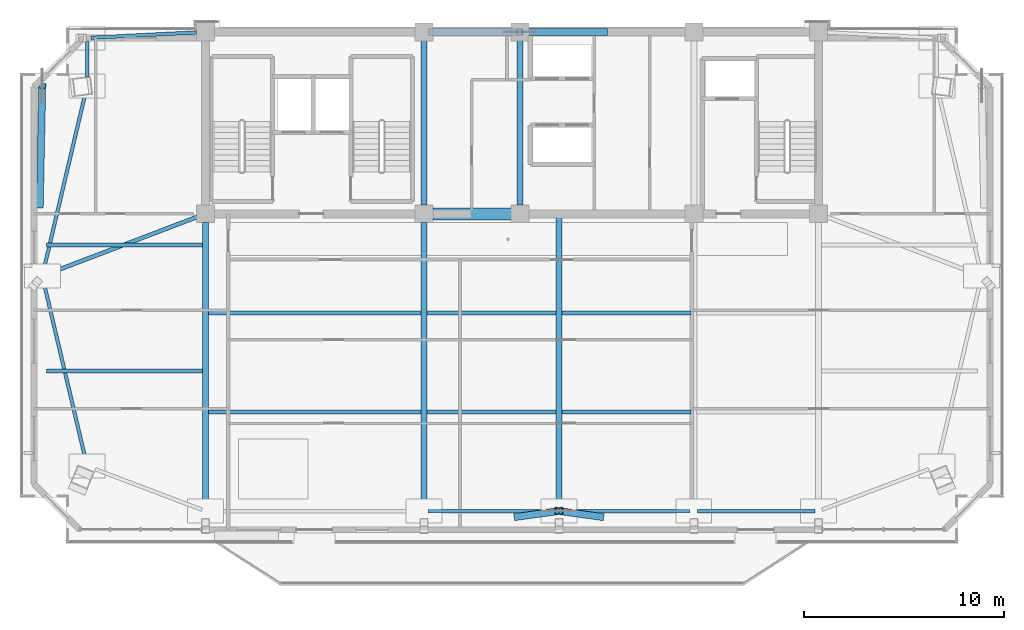
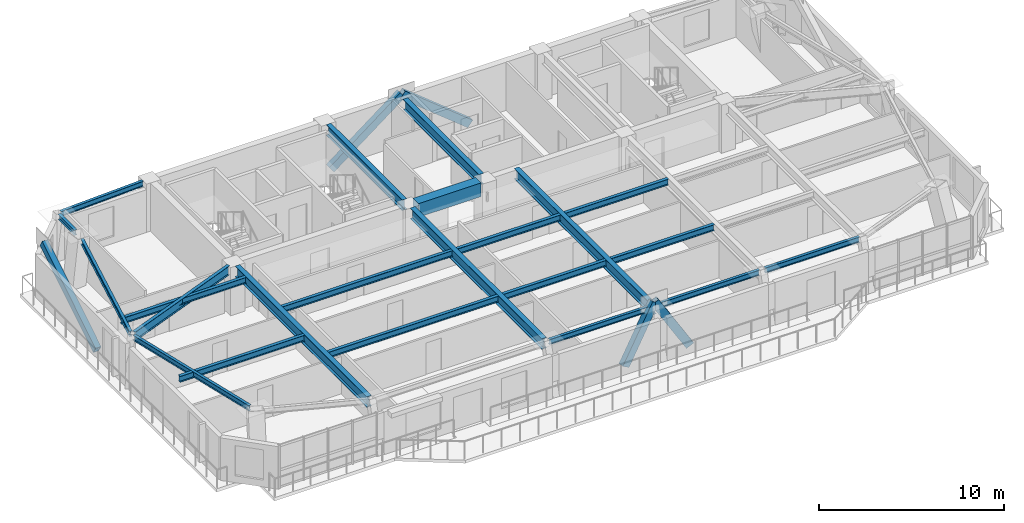
# One storey, part 3 of 13: 22 beams, 5 members.
"""IFC4 building model written with IfcOpenShell, lengths in metres."""

from ifc_helpers import new_model, si_unit, direction, frame, origin, origin_2d, place, context, subcontext, project, spatial, rectangle, hollow_rectangle, i_section, extrude, source, transform, mapped, material, material_profile, profile_set, type_object, element, save


model = new_model("IFC4")

# Units and contexts
model_context = context("Model", 3, precision=1e-05, world=origin(), true_north=direction((0.0, 1.0)))
body_context = subcontext(model_context, "Body", "Model", "MODEL_VIEW")
ifc_project = project(units=[si_unit("LENGTHUNIT", "METRE"), si_unit("AREAUNIT", "SQUARE_METRE"), si_unit("VOLUMEUNIT", "CUBIC_METRE"), si_unit("PLANEANGLEUNIT", "RADIAN"), si_unit("MASSUNIT", "GRAM", prefix="KILO")], contexts=[model_context])

# Site, building, storey
site_placement = place(None, origin())
site = spatial("IfcSite", under=ifc_project, at=site_placement, CompositionType="ELEMENT")
building_placement = place(site_placement, origin())
building = spatial("IfcBuilding", under=site, at=building_placement, Name="Giltprow Tower", CompositionType="ELEMENT")
storey_placement = place(building_placement, frame((0.0, 0.0, 332.300048828125)))
storey = spatial("IfcBuildingStorey", under=building, at=storey_placement, Name="L86", CompositionType="ELEMENT", Elevation=332.300048828125)

# Beams
ifc_material_1 = material(Name="Structural steel Q355B", Category="steel")
ifc_material_profile_1 = material_profile(ifc_material_1, i_section(OverallWidth=0.199951171875, OverallDepth=0.39990234375, WebThickness=0.008056640625, FlangeThickness=0.012939453125, at=origin_2d()), Name="HN 400x200x8x13")
ifc_profile_set_1 = profile_set([ifc_material_profile_1], Name="Structural steel Q355B")
beam_type_1 = type_object("IfcBeamType", Name="BM-JOIST-HN400", PredefinedType="JOIST", material=ifc_profile_set_1)
shared_shape_1 = source(origin(), body_context, "Body", "SweptSolid", [
    extrude(i_section(OverallWidth=0.199951171875, OverallDepth=0.39990234375, WebThickness=0.008056640625, FlangeThickness=0.012939453125, at=origin_2d()), origin(), (0.0, 0.0, 1.0), 10.659912109375),
])
for number, where, z_axis, x_axis, name in (
    (1, (19.9951171875, 27.529052734375, 2.98486328125), (1.0, 0.0, 0.0), (0.0, 1.0, 0.0), "L86 Composite Floor Joist 1-1"),
    (2, (19.9951171875, 32.489013671875, 2.98486328125), (1.0, 0.0, 0.0), (0.0, 1.0, 0.0), "L86 Composite Floor Joist 2-1"),
):
    element("IfcBeam", number, at=place(storey_placement, frame(where, z_axis=z_axis, x_axis=x_axis)), inside=storey, type_object=beam_type_1, Name=name, PredefinedType="JOIST", context=body_context, shape_type="MappedRepresentation", body=[
        mapped(shared_shape_1, transform((0.0, 0.0, 0.0), x_axis=(1.0, 0.0, 0.0), y_axis=(0.0, 1.0, 0.0), z_axis=(0.0, 0.0, 1.0), scale=1.0)),
    ])
shared_shape_2 = source(origin(), body_context, "Body", "SweptSolid", [
    extrude(i_section(OverallWidth=0.199951171875, OverallDepth=0.39990234375, WebThickness=0.008056640625, FlangeThickness=0.012939453125, at=origin_2d()), origin(), (0.0, 0.0, 1.0), 6.4599609375),
])
for number, where, z_axis, x_axis, name in (
    (3, (30.945068359375, 27.529052734375, 2.98486328125), (1.0, 0.0, 0.0), (0.0, 1.0, 0.0), "L86 Composite Floor Joist 1-2"),
    (4, (37.695068359375, 27.529052734375, 2.98486328125), (1.0, 0.0, 0.0), (0.0, 1.0, 0.0), "L86 Composite Floor Joist 1-3"),
    (5, (30.945068359375, 32.489013671875, 2.98486328125), (1.0, 0.0, 0.0), (0.0, 1.0, 0.0), "L86 Composite Floor Joist 2-2"),
    (6, (37.695068359375, 32.489013671875, 2.98486328125), (1.0, 0.0, 0.0), (0.0, 1.0, 0.0), "L86 Composite Floor Joist 2-3"),
):
    element("IfcBeam", number, at=place(storey_placement, frame(where, z_axis=z_axis, x_axis=x_axis)), inside=storey, type_object=beam_type_1, Name=name, PredefinedType="JOIST", context=body_context, shape_type="MappedRepresentation", body=[
        mapped(shared_shape_2, transform((0.0, 0.0, 0.0), x_axis=(1.0, 0.0, 0.0), y_axis=(0.0, 1.0, 0.0), z_axis=(0.0, 0.0, 1.0), scale=1.0)),
    ])
ifc_material_2 = material(Name="Concrete C50", Category="concrete")
ifc_material_profile_2 = material_profile(ifc_material_2, rectangle(XDim=0.60009765625, YDim=0.89990234375, at=origin_2d()), Name="RC 900x600")
ifc_profile_set_2 = profile_set([ifc_material_profile_2], Name="Concrete C50")
beam_type_2 = type_object("IfcBeamType", Name="BM-CPL-RC900", PredefinedType="LINTEL", material=ifc_profile_set_2)
shared_shape_3 = source(origin(), body_context, "Body", "SweptSolid", [
    extrude(rectangle(XDim=0.60009765625, YDim=0.89990234375, at=origin_2d()), origin(), (0.0, 0.0, 1.0), 3.929931640625),
])
beam_1_placement = place(storey_placement, frame((31.235107421875, 37.449951171875, 2.73486328125), z_axis=(1.0, 0.0, 0.0), x_axis=(0.0, 1.0, 0.0)))
element("IfcBeam", 7, at=beam_1_placement, inside=storey, type_object=beam_type_2, Name="L86 Core Coupling Beam CB-1", PredefinedType="LINTEL", context=body_context, shape_type="MappedRepresentation", body=[
    mapped(shared_shape_3, transform((0.0, 0.0, 0.0), x_axis=(1.0, 0.0, 0.0), y_axis=(0.0, 1.0, 0.0), z_axis=(0.0, 0.0, 1.0), scale=1.0)),
])
ifc_material_profile_3 = material_profile(ifc_material_1, i_section(OverallWidth=0.300048828125, OverallDepth=0.699951171875, WebThickness=0.012939453125, FlangeThickness=0.02392578125, at=origin_2d()), Name="HN 700x300x13x24")
ifc_profile_set_3 = profile_set([ifc_material_profile_3], Name="Structural steel Q355B")
beam_type_3 = type_object("IfcBeamType", Name="BM-GIRD-HN700", PredefinedType="BEAM", material=ifc_profile_set_3)
shared_shape_4 = source(origin(), body_context, "Body", "SweptSolid", [
    extrude(i_section(OverallWidth=0.300048828125, OverallDepth=0.699951171875, WebThickness=0.012939453125, FlangeThickness=0.02392578125, at=origin_2d()), origin(), (0.0, 0.0, 1.0), 8.22998046875),
])
for number, where, z_axis, x_axis, name in (
    (8, (30.800048828125, 37.885009765625, 2.8349609375), (0.0, 1.0, 0.0), (-1.0, 0.0, 0.0), "L86 Core Tie Girder M1"),
    (9, (35.60009765625, 37.885009765625, 2.8349609375), (0.0, 1.0, 0.0), (-1.0, 0.0, 0.0), "L86 Core Tie Girder M2"),
):
    element("IfcBeam", number, at=place(storey_placement, frame(where, z_axis=z_axis, x_axis=x_axis)), inside=storey, type_object=beam_type_3, Name=name, PredefinedType="BEAM", context=body_context, shape_type="MappedRepresentation", body=[
        mapped(shared_shape_4, transform((0.0, 0.0, 0.0), x_axis=(1.0, 0.0, 0.0), y_axis=(0.0, 1.0, 0.0), z_axis=(0.0, 0.0, 1.0), scale=1.0)),
    ])
ifc_material_profile_4 = material_profile(ifc_material_1, i_section(OverallWidth=0.175048828125, OverallDepth=0.35009765625, WebThickness=0.007080078125, FlangeThickness=0.010986328125, at=origin_2d()), Name="HN 350x175x7x11")
ifc_profile_set_4 = profile_set([ifc_material_profile_4], Name="Structural steel Q355B")
beam_type_4 = type_object("IfcBeamType", Name="BM-SPAN-HN350", PredefinedType="SPANDREL", material=ifc_profile_set_4)
shared_shape_5 = source(origin(), body_context, "Body", "SweptSolid", [
    extrude(i_section(OverallWidth=0.175048828125, OverallDepth=0.35009765625, WebThickness=0.007080078125, FlangeThickness=0.010986328125, at=origin_2d()), origin(), (0.0, 0.0, 1.0), 6.3798828125),
])
for number, where, z_axis, x_axis, name in (
    (10, (30.985107421875, 22.568115234375, 3.010009765625), (1.0, 0.0, 0.0), (0.0, 1.0, 0.0), "L86 Perimeter Spandrel Beam S2-S_MID"),
    (11, (37.735107421875, 22.568115234375, 3.010009765625), (1.0, 0.0, 0.0), (0.0, 1.0, 0.0), "L86 Perimeter Spandrel Beam S_MID-S3"),
):
    element("IfcBeam", number, at=place(storey_placement, frame(where, z_axis=z_axis, x_axis=x_axis)), inside=storey, type_object=beam_type_4, Name=name, PredefinedType="SPANDREL", context=body_context, shape_type="MappedRepresentation", body=[
        mapped(shared_shape_5, transform((0.0, 0.0, 0.0), x_axis=(1.0, 0.0, 0.0), y_axis=(0.0, 1.0, 0.0), z_axis=(0.0, 0.0, 1.0), scale=1.0)),
    ])
shared_shape_6 = source(origin(), body_context, "Body", "SweptSolid", [
    extrude(i_section(OverallWidth=0.175048828125, OverallDepth=0.35009765625, WebThickness=0.007080078125, FlangeThickness=0.010986328125, at=origin_2d()), origin(), (0.0, 0.0, 1.0), 5.8798828125),
])
beam_2_placement = place(storey_placement, frame((44.485107421875, 22.568115234375, 3.010009765625), z_axis=(1.0, 0.0, 0.0), x_axis=(0.0, 1.0, 0.0)))
element("IfcBeam", 12, at=beam_2_placement, inside=storey, type_object=beam_type_4, Name="L86 Perimeter Spandrel Beam S3-S4", PredefinedType="SPANDREL", context=body_context, shape_type="MappedRepresentation", body=[
    mapped(shared_shape_6, transform((0.0, 0.0, 0.0), x_axis=(1.0, 0.0, 0.0), y_axis=(0.0, 1.0, 0.0), z_axis=(0.0, 0.0, 1.0), scale=1.0)),
])
shared_shape_7 = source(origin(), body_context, "Body", "SweptSolid", [
    extrude(i_section(OverallWidth=0.175048828125, OverallDepth=0.35009765625, WebThickness=0.007080078125, FlangeThickness=0.010986328125, at=origin_2d()), origin(), (0.0, 0.0, 1.0), 9.161865234375),
])
for number, where, z_axis, x_axis, name in (
    (13, (13.8310546875, 43.430908203125, 3.010009765625), (-0.22964825006, -0.973273692876, 0.0), (0.973273692876, -0.22964825006, 0.0), "L86 Perimeter Spandrel Beam MC_NW-W_MID"),
    (14, (11.72705078125, 34.154052734375, 3.010009765625), (0.22964825006, -0.973273692876, 0.0), (0.973273692876, 0.22964825006, 0.0), "L86 Perimeter Spandrel Beam W_MID-MC_SW"),
):
    element("IfcBeam", number, at=place(storey_placement, frame(where, z_axis=z_axis, x_axis=x_axis)), inside=storey, type_object=beam_type_4, Name=name, PredefinedType="SPANDREL", context=body_context, shape_type="MappedRepresentation", body=[
        mapped(shared_shape_7, transform((0.0, 0.0, 0.0), x_axis=(1.0, 0.0, 0.0), y_axis=(0.0, 1.0, 0.0), z_axis=(0.0, 0.0, 1.0), scale=1.0)),
    ])
shared_shape_8 = source(origin(), body_context, "Body", "SweptSolid", [
    extrude(i_section(OverallWidth=0.175048828125, OverallDepth=0.35009765625, WebThickness=0.007080078125, FlangeThickness=0.010986328125, at=origin_2d()), origin(), (0.0, 0.0, 1.0), 1.77587890625),
])
beam_3_placement = place(storey_placement, frame((13.930908203125, 46.06494140625, 3.010009765625), z_axis=(0.0, -1.0, 0.0), x_axis=(1.0, 0.0, 0.0)))
element("IfcBeam", 15, at=beam_3_placement, inside=storey, type_object=beam_type_4, Name="L86 Perimeter Spandrel Beam N_W-MC_NW", PredefinedType="SPANDREL", context=body_context, shape_type="MappedRepresentation", body=[
    mapped(shared_shape_8, transform((0.0, 0.0, 0.0), x_axis=(1.0, 0.0, 0.0), y_axis=(0.0, 1.0, 0.0), z_axis=(0.0, 0.0, 1.0), scale=1.0)),
])
shared_shape_9 = source(origin(), body_context, "Body", "SweptSolid", [
    extrude(i_section(OverallWidth=0.175048828125, OverallDepth=0.35009765625, WebThickness=0.007080078125, FlangeThickness=0.010986328125, at=origin_2d()), origin(), (0.0, 0.0, 1.0), 5.306884765625),
])
beam_4_placement = place(storey_placement, frame((14.115966796875, 46.259033203125, 3.010009765625), z_axis=(0.998714076234, 0.050697080106, 0.0), x_axis=(-0.050697080106, 0.998714076234, 0.0)))
element("IfcBeam", 16, at=beam_4_placement, inside=storey, type_object=beam_type_4, Name="L86 North Wing Spandrel W", PredefinedType="SPANDREL", context=body_context, shape_type="MappedRepresentation", body=[
    mapped(shared_shape_9, transform((0.0, 0.0, 0.0), x_axis=(1.0, 0.0, 0.0), y_axis=(0.0, 1.0, 0.0), z_axis=(0.0, 0.0, 1.0), scale=1.0)),
])
shared_shape_10 = source(origin(), body_context, "Body", "SweptSolid", [
    extrude(i_section(OverallWidth=0.300048828125, OverallDepth=0.699951171875, WebThickness=0.012939453125, FlangeThickness=0.02392578125, at=origin_2d()), origin(), (0.0, 0.0, 1.0), 14.261962890625),
])
for number, where, z_axis, x_axis, name in (
    (17, (19.85009765625, 22.7529296875, 2.8349609375), (0.0, 1.0, 0.0), (-1.0, 0.0, 0.0), "L86 Primary Lease Girder S1"),
    (18, (30.800048828125, 22.7529296875, 2.8349609375), (0.0, 1.0, 0.0), (-1.0, 0.0, 0.0), "L86 Primary Lease Girder S2"),
):
    element("IfcBeam", number, at=place(storey_placement, frame(where, z_axis=z_axis, x_axis=x_axis)), inside=storey, type_object=beam_type_3, Name=name, PredefinedType="BEAM", context=body_context, shape_type="MappedRepresentation", body=[
        mapped(shared_shape_10, transform((0.0, 0.0, 0.0), x_axis=(1.0, 0.0, 0.0), y_axis=(0.0, 1.0, 0.0), z_axis=(0.0, 0.0, 1.0), scale=1.0)),
    ])
shared_shape_11 = source(origin(), body_context, "Body", "SweptSolid", [
    extrude(i_section(OverallWidth=0.300048828125, OverallDepth=0.699951171875, WebThickness=0.012939453125, FlangeThickness=0.02392578125, at=origin_2d()), origin(), (0.0, 0.0, 1.0), 14.8818359375),
])
beam_5_placement = place(storey_placement, frame((37.550048828125, 22.568115234375, 2.8349609375), z_axis=(0.0, 1.0, 0.0), x_axis=(-1.0, 0.0, 0.0)))
element("IfcBeam", 19, at=beam_5_placement, inside=storey, type_object=beam_type_3, Name="L86 Central Lease Girder SMID", PredefinedType="BEAM", context=body_context, shape_type="MappedRepresentation", body=[
    mapped(shared_shape_11, transform((0.0, 0.0, 0.0), x_axis=(1.0, 0.0, 0.0), y_axis=(0.0, 1.0, 0.0), z_axis=(0.0, 0.0, 1.0), scale=1.0)),
])
ifc_material_profile_5 = material_profile(ifc_material_1, i_section(OverallWidth=0.199951171875, OverallDepth=0.60009765625, WebThickness=0.010986328125, FlangeThickness=0.01708984375, at=origin_2d()), Name="HN 600x200x11x17")
ifc_profile_set_5 = profile_set([ifc_material_profile_5], Name="Structural steel Q355B")
beam_type_5 = type_object("IfcBeamType", Name="BM-GIRD-HN600", PredefinedType="BEAM", material=ifc_profile_set_5)
shared_shape_12 = source(origin(), body_context, "Body", "SweptSolid", [
    extrude(i_section(OverallWidth=0.199951171875, OverallDepth=0.60009765625, WebThickness=0.010986328125, FlangeThickness=0.01708984375, at=origin_2d()), origin(), (0.0, 0.0, 1.0), 8.119873046875),
])
beam_6_placement = place(storey_placement, frame((11.85791015625, 34.39990234375, 2.885009765625), z_axis=(0.934280857327, 0.356537907707, 0.0), x_axis=(-0.356537907707, 0.934280857327, 0.0)))
element("IfcBeam", 20, at=beam_6_placement, inside=storey, type_object=beam_type_5, Name="L86 West Wing Primary Girder", PredefinedType="BEAM", context=body_context, shape_type="MappedRepresentation", body=[
    mapped(shared_shape_12, transform((0.0, 0.0, 0.0), x_axis=(1.0, 0.0, 0.0), y_axis=(0.0, 1.0, 0.0), z_axis=(0.0, 0.0, 1.0), scale=1.0)),
])
shared_shape_13 = source(origin(), body_context, "Body", "SweptSolid", [
    extrude(i_section(OverallWidth=0.199951171875, OverallDepth=0.39990234375, WebThickness=0.008056640625, FlangeThickness=0.012939453125, at=origin_2d()), origin(), (0.0, 0.0, 1.0), 7.800048828125),
])
for number, where, z_axis, x_axis, name in (
    (21, (11.905029296875, 29.573974609375, 2.98486328125), (1.0, 0.0, 0.0), (0.0, 1.0, 0.0), "L86 West Wing Floor Joist 1"),
    (22, (11.905029296875, 35.89208984375, 2.98486328125), (1.0, 0.0, 0.0), (0.0, 1.0, 0.0), "L86 West Wing Floor Joist 2"),
):
    element("IfcBeam", number, at=place(storey_placement, frame(where, z_axis=z_axis, x_axis=x_axis)), inside=storey, type_object=beam_type_1, Name=name, PredefinedType="JOIST", context=body_context, shape_type="MappedRepresentation", body=[
        mapped(shared_shape_13, transform((0.0, 0.0, 0.0), x_axis=(1.0, 0.0, 0.0), y_axis=(0.0, 1.0, 0.0), z_axis=(0.0, 0.0, 1.0), scale=1.0)),
    ])

# Members
ifc_material_3 = material(Name="Structural steel Q420GJC", Category="steel")
ifc_material_profile_6 = material_profile(ifc_material_3, hollow_rectangle(XDim=0.35009765625, YDim=0.5, WallThickness=0.02392578125, at=origin_2d()), Name="RHS 500x350x24")
ifc_profile_set_6 = profile_set([ifc_material_profile_6], Name="Structural steel Q420GJC")
member_type = type_object("IfcMemberType", Name="MBR-MEGA-RHS500", PredefinedType="BRACE", material=ifc_profile_set_6)
shared_shape_14 = source(origin(), body_context, "Body", "SweptSolid", [
    extrude(hollow_rectangle(XDim=0.35009765625, YDim=0.5, WallThickness=0.02392578125, at=origin_2d()), origin(), (0.0, 0.0, 1.0), 5.4130859375),
])
member_1_placement = place(storey_placement, frame((39.81201171875, 46.550048828125, -0.14013671875), z_axis=(-0.778102262574, 0.0, 0.628137619457), x_axis=(0.0, -1.0, 0.0)))
element("IfcMember", 23, at=member_1_placement, inside=storey, type_object=member_type, Name="L86 Chevron Mega-Brace N-R", PredefinedType="BRACE", context=body_context, shape_type="MappedRepresentation", body=[
    mapped(shared_shape_14, transform((0.0, 0.0, 0.0), x_axis=(1.0, 0.0, 0.0), y_axis=(0.0, 1.0, 0.0), z_axis=(0.0, 0.0, 1.0), scale=1.0)),
])
shared_shape_15 = source(origin(), body_context, "Body", "SweptSolid", [
    extrude(hollow_rectangle(XDim=0.35009765625, YDim=0.5, WallThickness=0.02392578125, at=origin_2d()), origin(), (0.0, 0.0, 1.0), 6.893310546875),
])
member_2_placement = place(storey_placement, frame((11.56005859375, 37.85888671875, 0.0), z_axis=(0.01813377777, 0.869712982287, 0.493224588342), x_axis=(-0.999782703314, 0.020845770651, 0.0)))
element("IfcMember", 24, at=member_2_placement, inside=storey, type_object=member_type, Name="L86 Chevron Mega-Brace W-D", PredefinedType="BRACE", context=body_context, shape_type="MappedRepresentation", body=[
    mapped(shared_shape_15, transform((0.0, 0.0, 0.0), x_axis=(1.0, 0.0, 0.0), y_axis=(0.0, 1.0, 0.0), z_axis=(0.0, 0.0, 1.0), scale=1.0)),
])
shared_shape_16 = source(origin(), body_context, "Body", "SweptSolid", [
    extrude(hollow_rectangle(XDim=0.35009765625, YDim=0.5, WallThickness=0.02392578125, at=origin_2d()), origin(), (0.0, 0.0, 1.0), 3.97021484375),
])
for number, where, z_axis, x_axis, name in (
    (25, (35.51904296875, 22.2880859375, 0.0), (0.511558563866, 0.070532236177, 0.856348666955), (-0.136585012765, 0.990628353263, 0.0), "L86 Chevron Mega-Brace S-L"),
    (26, (39.5810546875, 22.2880859375, 0.0), (-0.511558563866, 0.070532236177, 0.856348666955), (-0.136585012765, -0.990628353263, 0.0), "L86 Chevron Mega-Brace S-R"),
):
    element("IfcMember", number, at=place(storey_placement, frame(where, z_axis=z_axis, x_axis=x_axis)), inside=storey, type_object=member_type, Name=name, PredefinedType="BRACE", context=body_context, shape_type="MappedRepresentation", body=[
        mapped(shared_shape_16, transform((0.0, 0.0, 0.0), x_axis=(1.0, 0.0, 0.0), y_axis=(0.0, 1.0, 0.0), z_axis=(0.0, 0.0, 1.0), scale=1.0)),
    ])
shared_shape_17 = source(origin(), body_context, "Body", "SweptSolid", [
    extrude(hollow_rectangle(XDim=0.35009765625, YDim=0.5, WallThickness=0.02392578125, at=origin_2d()), origin(), (0.0, 0.0, 1.0), 5.602783203125),
])
member_3_placement = place(storey_placement, frame((31.14697265625, 46.550048828125, -0.14013671875), z_axis=(0.794804117245, 0.0, 0.606866060355), x_axis=(0.0, 1.0, 0.0)))
element("IfcMember", 27, at=member_3_placement, inside=storey, type_object=member_type, Name="L86 Chevron Mega-Brace N-L", PredefinedType="BRACE", context=body_context, shape_type="MappedRepresentation", body=[
    mapped(shared_shape_17, transform((0.0, 0.0, 0.0), x_axis=(1.0, 0.0, 0.0), y_axis=(0.0, 1.0, 0.0), z_axis=(0.0, 0.0, 1.0), scale=1.0)),
])

save(model, "model.ifc")
